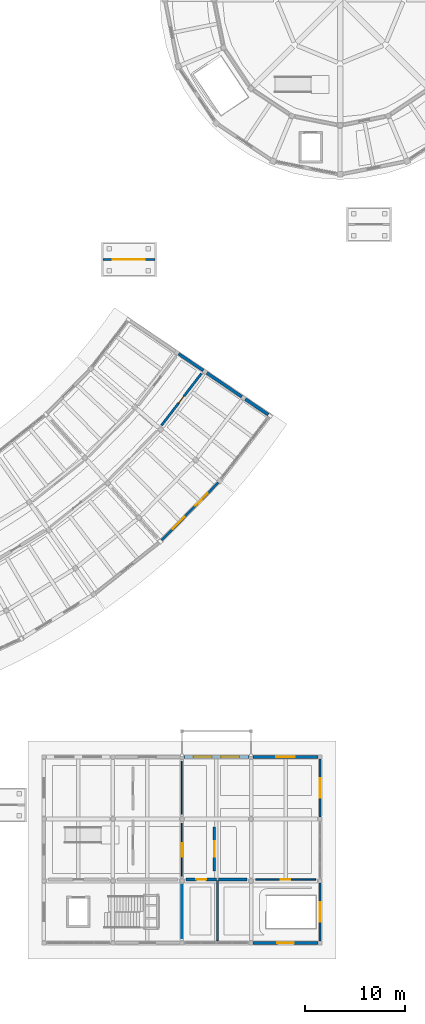
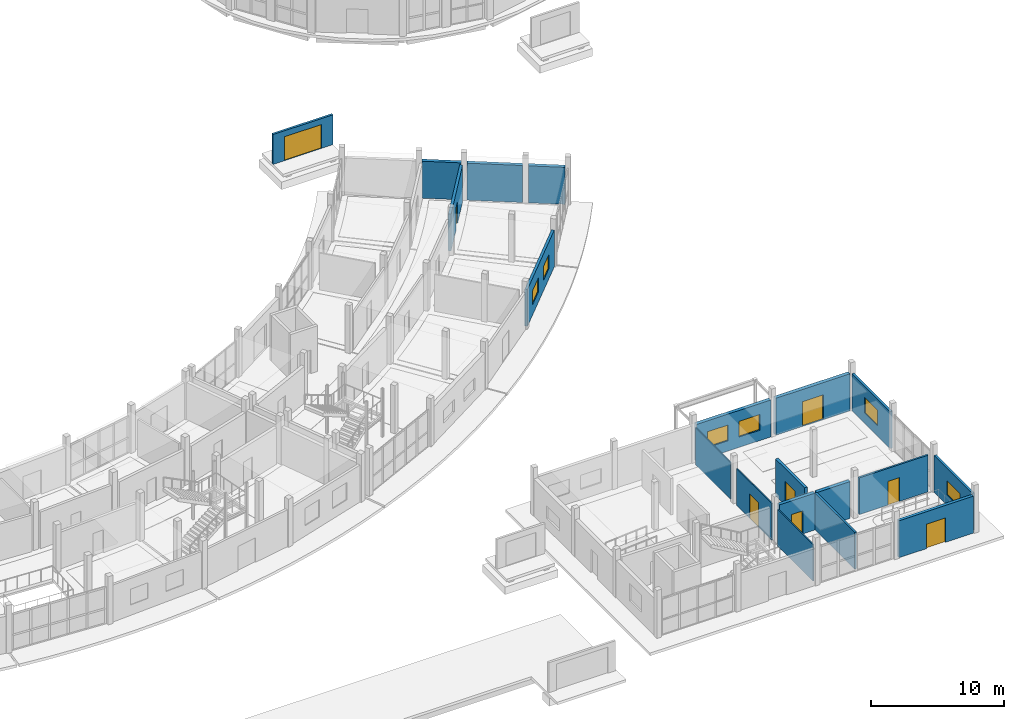
# One storey, part 73 of 92: 19 walls, 8 doors, 6 windows, 14 openings.
"""IFC4 building model written with IfcOpenShell, lengths in metres."""

from ifc_helpers import new_model, si_unit, direction, frame, frame_2d, origin, place, context, subcontext, project, spatial, rectangle, extrude, material, layer, layer_set, type_object, element, fill, save


model = new_model("IFC4")

# Units and contexts
model_context = context("Model", 3, precision=1e-05, world=origin(), true_north=direction((0.0, 1.0)))
body_context = subcontext(model_context, "Body", "Model", "MODEL_VIEW")
ifc_project = project(units=[si_unit("LENGTHUNIT", "METRE"), si_unit("AREAUNIT", "SQUARE_METRE"), si_unit("VOLUMEUNIT", "CUBIC_METRE"), si_unit("PLANEANGLEUNIT", "RADIAN"), si_unit("MASSUNIT", "GRAM", prefix="KILO")], contexts=[model_context])

# Site, building, storey
site_placement = place(None, origin())
site = spatial("IfcSite", under=ifc_project, at=site_placement, CompositionType="ELEMENT")
building_placement = place(site_placement, origin())
building = spatial("IfcBuilding", under=site, at=building_placement, Name="Caldaven Crescent School", CompositionType="ELEMENT")
storey_placement = place(building_placement, origin())
storey = spatial("IfcBuildingStorey", under=building, at=storey_placement, Name="L00", CompositionType="ELEMENT", Elevation=0.0)

# Wall, opening, window
ifc_material_1 = material(Name="Precast concrete C35/45", Category="concrete")
ifc_layer_1 = layer(ifc_material_1, 0.19189453125)
ifc_layer_set_1 = layer_set([ifc_layer_1], Name="Precast concrete C35/45")
wall_type_1 = type_object("IfcWallType", Name="WAL-EW01", PredefinedType="STANDARD", material=ifc_layer_set_1)
wall_1_placement = place(storey_placement, frame((150.5, 4.4130859375, 0.0), z_axis=(0.0, 0.0, 1.0), x_axis=(0.0, 1.0, 0.0)))
wall_1 = element("IfcWall", 1, at=wall_1_placement, inside=storey, type_object=wall_type_1, Name="EW-L00-042", PredefinedType="STANDARD", context=body_context, shape_type="SweptSolid", body=[
    extrude(rectangle(XDim=5.77392578125, YDim=0.19189453125, at=frame_2d((2.886962890625, 0.0))), origin(), (0.0, 0.0, 1.0), 3.39990234375),
])
opening_1_placement = place(wall_1_placement, frame((1.9169921875, 0.0, 0.949951171875)))
opening_1 = element("IfcOpeningElement", 2, at=opening_1_placement, cuts=wall_1, Name="Opening W30", PredefinedType="OPENING", context=body_context, shape_type="SweptSolid", body=[
    extrude(rectangle(XDim=1.93994140625, YDim=1.300048828125, at=frame_2d((0.969970703125, 0.64990234375))), frame((0.0, 0.10595703125, 0.0), z_axis=(0.0, -1.0, 0.0), x_axis=(1.0, 0.0, 0.0)), (0.0, 0.0, 1.0), 0.2119140625),
])
ifc_material_2 = material(Name="Thermally broken anodised aluminium AA 6063-T6 and low-E double glazing", Category="aluminium")
window_type_1 = type_object("IfcWindowType", Name="WIN-W30", PartitioningType="SINGLE_PANEL", PredefinedType="WINDOW", material=ifc_material_2)
window_1_placement = place(opening_1_placement, origin())
window_1 = element("IfcWindow", 3, at=window_1_placement, inside=storey, type_object=window_type_1, Name="WIN-L00-029-1", OverallHeight=1.300048828125, OverallWidth=1.93994140625, PartitioningType="SINGLE_PANEL", PredefinedType="WINDOW", context=body_context, shape_type="SweptSolid", body=[
    extrude(rectangle(XDim=1.93994140625, YDim=1.300048828125, at=frame_2d((0.969970703125, 0.64990234375))), frame((0.0, 0.030029296875, 0.0), z_axis=(0.0, -1.0, 0.0), x_axis=(1.0, 0.0, 0.0)), (0.0, 0.0, 1.0), 0.06005859375),
])
fill(opening_1, window_1)

# Wall, opening, door
wall_2_placement = place(storey_placement, frame((128.800048828125, 72.5, 0.0), z_axis=(0.0, 0.0, 1.0), x_axis=(1.0, 0.0, 0.0)))
wall_2 = element("IfcWall", 4, at=wall_2_placement, inside=storey, type_object=wall_type_1, Name="WAL-GATE-CG2", PredefinedType="STANDARD", context=body_context, shape_type="SweptSolid", body=[
    extrude(rectangle(XDim=5.199951171875, YDim=0.19189453125, at=frame_2d((2.60009765625, 0.0))), origin(), (0.0, 0.0, 1.0), 2.75),
])
opening_2_placement = place(wall_2_placement, frame((1.0, 0.0, 0.0)))
opening_2 = element("IfcOpeningElement", 5, at=opening_2_placement, cuts=wall_2, Name="Opening CG2", PredefinedType="OPENING", context=body_context, shape_type="SweptSolid", body=[
    extrude(rectangle(XDim=3.199951171875, YDim=2.199951171875, at=frame_2d((1.60009765625, 1.10009765625))), frame((0.0, 0.10595703125, 0.0), z_axis=(0.0, -1.0, 0.0), x_axis=(1.0, 0.0, 0.0)), (0.0, 0.0, 1.0), 0.2119140625),
])
ifc_material_3 = material(Name="Powder-coated galvanised tubular steel security gate", Category="steel")
door_type_1 = type_object("IfcDoorType", Name="DOR-GT02", OperationType="NOTDEFINED", PredefinedType="GATE", material=ifc_material_3)
door_1_placement = place(opening_2_placement, origin())
door_1 = element("IfcDoor", 6, at=door_1_placement, inside=storey, type_object=door_type_1, Name="GATE-CG2", OperationType="DOUBLE_DOOR_SINGLE_SWING", OverallHeight=2.199951171875, OverallWidth=3.199951171875, PredefinedType="GATE", context=body_context, shape_type="SweptSolid", body=[
    extrude(rectangle(XDim=3.199951171875, YDim=2.199951171875, at=frame_2d((1.60009765625, 1.10009765625))), frame((0.0, 0.02490234375, 0.0), z_axis=(0.0, -1.0, 0.0), x_axis=(1.0, 0.0, 0.0)), (0.0, 0.0, 1.0), 0.050048828125),
])
fill(opening_2, door_1)

# Wall, opening, window
ifc_layer_2 = layer(ifc_material_1, 0.2041015625)
ifc_layer_set_2 = layer_set([ifc_layer_2], Name="Precast concrete C35/45")
wall_type_2 = type_object("IfcWallType", Name="WAL-EW02", PredefinedType="STANDARD", material=ifc_layer_set_2)
wall_3_placement = place(storey_placement, frame((150.5, 16.81298828125, 0.0), z_axis=(0.0, 0.0, 1.0), x_axis=(0.0, 1.0, 0.0)))
wall_3 = element("IfcWall", 7, at=wall_3_placement, inside=storey, type_object=wall_type_2, Name="EW-L00-043", PredefinedType="STANDARD", context=body_context, shape_type="SweptSolid", body=[
    extrude(rectangle(XDim=5.77392578125, YDim=0.2041015625, at=frame_2d((2.886962890625, 0.0))), origin(), (0.0, 0.0, 1.0), 3.39990234375),
])
opening_3_placement = place(wall_3_placement, frame((1.9169921875, 0.0, 0.949951171875)))
opening_3 = element("IfcOpeningElement", 8, at=opening_3_placement, cuts=wall_3, Name="Opening W31", PredefinedType="OPENING", context=body_context, shape_type="SweptSolid", body=[
    extrude(rectangle(XDim=1.93994140625, YDim=1.449951171875, at=frame_2d((0.969970703125, 0.72509765625))), frame((0.0, 0.112060546875, 0.0), z_axis=(0.0, -1.0, 0.0), x_axis=(1.0, 0.0, 0.0)), (0.0, 0.0, 1.0), 0.22412109375),
])
window_type_2 = type_object("IfcWindowType", Name="WIN-W31", PartitioningType="SINGLE_PANEL", PredefinedType="WINDOW", material=ifc_material_2)
window_2_placement = place(opening_3_placement, origin())
window_2 = element("IfcWindow", 9, at=window_2_placement, inside=storey, type_object=window_type_2, Name="WIN-L00-030-1", OverallHeight=1.449951171875, OverallWidth=1.93994140625, PartitioningType="SINGLE_PANEL", PredefinedType="WINDOW", context=body_context, shape_type="SweptSolid", body=[
    extrude(rectangle(XDim=1.93994140625, YDim=1.449951171875, at=frame_2d((0.969970703125, 0.72509765625))), frame((0.0, 0.030029296875, 0.0), z_axis=(0.0, -1.0, 0.0), x_axis=(1.0, 0.0, 0.0)), (0.0, 0.0, 1.0), 0.06005859375),
])
fill(opening_3, window_2)

# Wall, openings, windows
ifc_layer_3 = layer(ifc_material_1, 0.216064453125)
ifc_layer_set_3 = layer_set([ifc_layer_3], Name="Precast concrete C35/45")
wall_type_3 = type_object("IfcWallType", Name="WAL-EW03", PredefinedType="STANDARD", material=ifc_layer_set_3)
wall_4_placement = place(storey_placement, frame((134.687255859375, 44.46630859375, 0.0), z_axis=(0.0, 0.0, 1.0), x_axis=(0.700920376985, 0.713239528578, 0.0)))
wall_4 = element("IfcWall", 10, at=wall_4_placement, inside=storey, type_object=wall_type_3, Name="EW-L00-114", PredefinedType="STANDARD", context=body_context, shape_type="SweptSolid", body=[
    extrude(rectangle(XDim=8.06591796875, YDim=0.216064453125, at=frame_2d((4.032958984375, 0.0))), origin(), (0.0, 0.0, 1.0), 3.39990234375),
])
opening_4_placement = place(wall_4_placement, frame((1.555419921875, 0.0, 0.949951171875)))
opening_4 = element("IfcOpeningElement", 11, at=opening_4_placement, cuts=wall_4, Name="Opening W22", PredefinedType="OPENING", context=body_context, shape_type="SweptSolid", body=[
    extrude(rectangle(XDim=1.699951171875, YDim=1.300048828125, at=frame_2d((0.85009765625, 0.64990234375))), frame((0.0, 0.117919921875, 0.0), z_axis=(0.0, -1.0, 0.0), x_axis=(1.0, 0.0, 0.0)), (0.0, 0.0, 1.0), 0.236083984375),
])
opening_5_placement = place(wall_4_placement, frame((4.810546875, 0.0, 0.949951171875)))
opening_5 = element("IfcOpeningElement", 12, at=opening_5_placement, cuts=wall_4, Name="Opening W22", PredefinedType="OPENING", context=body_context, shape_type="SweptSolid", body=[
    extrude(rectangle(XDim=1.699951171875, YDim=1.300048828125, at=frame_2d((0.85009765625, 0.64990234375))), frame((0.0, 0.117919921875, 0.0), z_axis=(0.0, -1.0, 0.0), x_axis=(1.0, 0.0, 0.0)), (0.0, 0.0, 1.0), 0.236083984375),
])
window_type_3 = type_object("IfcWindowType", Name="WIN-W22", PartitioningType="SINGLE_PANEL", PredefinedType="WINDOW", material=ifc_material_2)
window_3_placement = place(opening_4_placement, origin())
window_3 = element("IfcWindow", 13, at=window_3_placement, inside=storey, type_object=window_type_3, Name="WIN-L00-069-1", OverallHeight=1.300048828125, OverallWidth=1.699951171875, PartitioningType="SINGLE_PANEL", PredefinedType="WINDOW", context=body_context, shape_type="SweptSolid", body=[
    extrude(rectangle(XDim=1.699951171875, YDim=1.300048828125, at=frame_2d((0.85009765625, 0.64990234375))), frame((0.0, 0.030029296875, 0.0), z_axis=(0.0, -1.0, 0.0), x_axis=(1.0, 0.0, 0.0)), (0.0, 0.0, 1.0), 0.06005859375),
])
fill(opening_4, window_3)
window_4_placement = place(opening_5_placement, origin())
window_4 = element("IfcWindow", 14, at=window_4_placement, inside=storey, type_object=window_type_3, Name="WIN-L00-069-2", OverallHeight=1.300048828125, OverallWidth=1.699951171875, PartitioningType="SINGLE_PANEL", PredefinedType="WINDOW", context=body_context, shape_type="SweptSolid", body=[
    extrude(rectangle(XDim=1.699951171875, YDim=1.300048828125, at=frame_2d((0.85009765625, 0.64990234375))), frame((0.0, 0.030029296875, 0.0), z_axis=(0.0, -1.0, 0.0), x_axis=(1.0, 0.0, 0.0)), (0.0, 0.0, 1.0), 0.06005859375),
])
fill(opening_5, window_4)

# Wall, opening, door
ifc_layer_4 = layer(ifc_material_1, 0.263916015625)
ifc_layer_set_4 = layer_set([ifc_layer_4], Name="Precast concrete C35/45")
wall_type_4 = type_object("IfcWallType", Name="WAL-EW07", PredefinedType="STANDARD", material=ifc_layer_set_4)
wall_5_placement = place(storey_placement, frame((143.81298828125, 4.199951171875, 0.0), z_axis=(0.0, 0.0, 1.0), x_axis=(1.0, 0.0, 0.0)))
wall_5 = element("IfcWall", 15, at=wall_5_placement, inside=storey, type_object=wall_type_4, Name="EW-L00-034", PredefinedType="STANDARD", context=body_context, shape_type="SweptSolid", body=[
    extrude(rectangle(XDim=6.47412109375, YDim=0.263916015625, at=frame_2d((3.237060546875, 0.0))), origin(), (0.0, 0.0, 1.0), 3.39990234375),
])
opening_6_placement = place(wall_5_placement, frame((2.412109375, 0.0, 0.0)))
opening_6 = element("IfcOpeningElement", 16, at=opening_6_placement, cuts=wall_5, Name="Opening D-L00-E010", PredefinedType="OPENING", context=body_context, shape_type="SweptSolid", body=[
    extrude(rectangle(XDim=1.64990234375, YDim=2.25, at=frame_2d((0.824951171875, 1.125))), frame((0.0, 0.141845703125, 0.0), z_axis=(0.0, -1.0, 0.0), x_axis=(1.0, 0.0, 0.0)), (0.0, 0.0, 1.0), 0.283935546875),
])
ifc_material_4 = material(Name="Thermally broken bronze-anodised aluminium and laminated safety glass", Category="aluminium")
door_type_2 = type_object("IfcDoorType", Name="DOR-EX09", OperationType="NOTDEFINED", PredefinedType="DOOR", material=ifc_material_4)
door_2_placement = place(opening_6_placement, frame((1.64990234375, 0.0, 0.0), z_axis=(0.0, 0.0, 1.0), x_axis=(-1.0, 0.0, 0.0)))
door_2 = element("IfcDoor", 17, at=door_2_placement, inside=storey, type_object=door_type_2, Name="DOR-EXT-L00-010", OperationType="DOUBLE_DOOR_SINGLE_SWING", OverallHeight=2.25, OverallWidth=1.64990234375, PredefinedType="DOOR", context=body_context, shape_type="SweptSolid", body=[
    extrude(rectangle(XDim=1.64990234375, YDim=2.25, at=frame_2d((0.824951171875, 1.125))), frame((0.0, 0.02490234375, 0.0), z_axis=(0.0, -1.0, 0.0), x_axis=(1.0, 0.0, 0.0)), (0.0, 0.0, 1.0), 0.050048828125),
])
fill(opening_6, door_2)

# Wall
ifc_layer_5 = layer(ifc_material_1, 0.2880859375)
ifc_layer_set_5 = layer_set([ifc_layer_5], Name="Precast concrete C35/45")
wall_type_5 = type_object("IfcWallType", Name="WAL-EW09", PredefinedType="STANDARD", material=ifc_layer_set_5)
wall_6_placement = place(storey_placement, frame((136.375, 63.081298828125, 0.0), z_axis=(0.0, 0.0, 1.0), x_axis=(0.826746288828, -0.562574949592, 0.0)))
element("IfcWall", 18, at=wall_6_placement, inside=storey, type_object=wall_type_5, Name="EW-L00-120", PredefinedType="STANDARD", context=body_context, shape_type="SweptSolid", body=[
    extrude(rectangle(XDim=2.973876953125, YDim=0.2880859375, at=frame_2d((1.48681640625, 0.0))), origin(), (0.0, 0.0, 1.0), 3.39990234375),
])

# Wall, openings, windows
ifc_layer_6 = layer(ifc_material_1, 0.300048828125)
ifc_layer_set_6 = layer_set([ifc_layer_6], Name="Precast concrete C35/45")
wall_type_6 = type_object("IfcWallType", Name="WAL-EW10", PredefinedType="STANDARD", material=ifc_layer_set_6)
wall_7_placement = place(storey_placement, frame((136.9130859375, 22.800048828125, 0.0), z_axis=(0.0, 0.0, 1.0), x_axis=(1.0, 0.0, 0.0)))
wall_7 = element("IfcWall", 19, at=wall_7_placement, inside=storey, type_object=wall_type_6, Name="EW-L00-037", PredefinedType="STANDARD", context=body_context, shape_type="SweptSolid", body=[
    extrude(rectangle(XDim=6.473876953125, YDim=0.300048828125, at=frame_2d((3.23681640625, 0.0))), origin(), (0.0, 0.0, 1.0), 3.39990234375),
])
opening_7_placement = place(wall_7_placement, frame((0.944580078125, 0.0, 0.949951171875)))
opening_7 = element("IfcOpeningElement", 20, at=opening_7_placement, cuts=wall_7, Name="Opening W27", PredefinedType="OPENING", context=body_context, shape_type="SweptSolid", body=[
    extrude(rectangle(XDim=1.820068359375, YDim=1.449951171875, at=frame_2d((0.91015625, 0.72509765625))), frame((0.0, 0.159912109375, 0.0), z_axis=(0.0, -1.0, 0.0), x_axis=(1.0, 0.0, 0.0)), (0.0, 0.0, 1.0), 0.320068359375),
])
opening_8_placement = place(wall_7_placement, frame((3.709228515625, 0.0, 0.949951171875)))
opening_8 = element("IfcOpeningElement", 21, at=opening_8_placement, cuts=wall_7, Name="Opening W27", PredefinedType="OPENING", context=body_context, shape_type="SweptSolid", body=[
    extrude(rectangle(XDim=1.820068359375, YDim=1.449951171875, at=frame_2d((0.91015625, 0.72509765625))), frame((0.0, 0.159912109375, 0.0), z_axis=(0.0, -1.0, 0.0), x_axis=(1.0, 0.0, 0.0)), (0.0, 0.0, 1.0), 0.320068359375),
])
window_type_4 = type_object("IfcWindowType", Name="WIN-W27", PartitioningType="SINGLE_PANEL", PredefinedType="WINDOW", material=ifc_material_2)
window_5_placement = place(opening_7_placement, origin())
window_5 = element("IfcWindow", 22, at=window_5_placement, inside=storey, type_object=window_type_4, Name="WIN-L00-026-1", OverallHeight=1.449951171875, OverallWidth=1.820068359375, PartitioningType="SINGLE_PANEL", PredefinedType="WINDOW", context=body_context, shape_type="SweptSolid", body=[
    extrude(rectangle(XDim=1.820068359375, YDim=1.449951171875, at=frame_2d((0.91015625, 0.72509765625))), frame((0.0, 0.030029296875, 0.0), z_axis=(0.0, -1.0, 0.0), x_axis=(1.0, 0.0, 0.0)), (0.0, 0.0, 1.0), 0.06005859375),
])
fill(opening_7, window_5)
window_6_placement = place(opening_8_placement, origin())
window_6 = element("IfcWindow", 23, at=window_6_placement, inside=storey, type_object=window_type_4, Name="WIN-L00-026-2", OverallHeight=1.449951171875, OverallWidth=1.820068359375, PartitioningType="SINGLE_PANEL", PredefinedType="WINDOW", context=body_context, shape_type="SweptSolid", body=[
    extrude(rectangle(XDim=1.820068359375, YDim=1.449951171875, at=frame_2d((0.91015625, 0.72509765625))), frame((0.0, 0.030029296875, 0.0), z_axis=(0.0, -1.0, 0.0), x_axis=(1.0, 0.0, 0.0)), (0.0, 0.0, 1.0), 0.06005859375),
])
fill(opening_8, window_6)

# Wall
wall_8_placement = place(storey_placement, frame((139.185791015625, 61.168701171875, 0.0), z_axis=(0.0, 0.0, 1.0), x_axis=(0.826730801619, -0.56259770854, 0.0)))
element("IfcWall", 24, at=wall_8_placement, inside=storey, type_object=wall_type_6, Name="EW-L00-121", PredefinedType="STANDARD", context=body_context, shape_type="SweptSolid", body=[
    extrude(rectangle(XDim=4.22412109375, YDim=0.300048828125, at=frame_2d((2.112060546875, 0.0))), origin(), (0.0, 0.0, 1.0), 3.39990234375),
])

# Wall, opening, door
ifc_layer_7 = layer(ifc_material_1, 0.31201171875)
ifc_layer_set_7 = layer_set([ifc_layer_7], Name="Precast concrete C35/45")
wall_type_7 = type_object("IfcWallType", Name="WAL-EW11", PredefinedType="STANDARD", material=ifc_layer_set_7)
wall_9_placement = place(storey_placement, frame((143.81298828125, 22.800048828125, 0.0), z_axis=(0.0, 0.0, 1.0), x_axis=(1.0, 0.0, 0.0)))
wall_9 = element("IfcWall", 25, at=wall_9_placement, inside=storey, type_object=wall_type_7, Name="EW-L00-038", PredefinedType="STANDARD", context=body_context, shape_type="SweptSolid", body=[
    extrude(rectangle(XDim=6.47412109375, YDim=0.31201171875, at=frame_2d((3.237060546875, 0.0))), origin(), (0.0, 0.0, 1.0), 3.39990234375),
])
opening_9_placement = place(wall_9_placement, frame((2.31201171875, 0.0, 0.0)))
opening_9 = element("IfcOpeningElement", 26, at=opening_9_placement, cuts=wall_9, Name="Opening D-L00-E012", PredefinedType="OPENING", context=body_context, shape_type="SweptSolid", body=[
    extrude(rectangle(XDim=1.85009765625, YDim=2.280029296875, at=frame_2d((0.925048828125, 1.14013671875))), frame((0.0, 0.166015625, 0.0), z_axis=(0.0, -1.0, 0.0), x_axis=(1.0, 0.0, 0.0)), (0.0, 0.0, 1.0), 0.33203125),
])
door_type_3 = type_object("IfcDoorType", Name="DOR-EX11", OperationType="NOTDEFINED", PredefinedType="DOOR", material=ifc_material_4)
door_3_placement = place(opening_9_placement, origin())
door_3 = element("IfcDoor", 27, at=door_3_placement, inside=storey, type_object=door_type_3, Name="DOR-EXT-L00-012", OperationType="DOUBLE_DOOR_SINGLE_SWING", OverallHeight=2.280029296875, OverallWidth=1.85009765625, PredefinedType="DOOR", context=body_context, shape_type="SweptSolid", body=[
    extrude(rectangle(XDim=1.85009765625, YDim=2.280029296875, at=frame_2d((0.925048828125, 1.14013671875))), frame((0.0, 0.02490234375, 0.0), z_axis=(0.0, -1.0, 0.0), x_axis=(1.0, 0.0, 0.0)), (0.0, 0.0, 1.0), 0.050048828125),
])
fill(opening_9, door_3)

# Wall
wall_10_placement = place(storey_placement, frame((143.0302734375, 58.552490234375, 0.0), z_axis=(0.0, 0.0, 1.0), x_axis=(0.826731643037, -0.562596472085, 0.0)))
element("IfcWall", 28, at=wall_10_placement, inside=storey, type_object=wall_type_7, Name="EW-L00-122", PredefinedType="STANDARD", context=body_context, shape_type="SweptSolid", body=[
    extrude(rectangle(XDim=2.77392578125, YDim=0.31201171875, at=frame_2d((1.386962890625, 0.0))), origin(), (0.0, 0.0, 1.0), 3.39990234375),
])

# Wall, opening, door
ifc_material_5 = material(Name="Acoustic timber-stud and fire-rated gypsum board assembly", Category="wood")
ifc_layer_8 = layer(ifc_material_5, 0.159912109375)
ifc_layer_set_8 = layer_set([ifc_layer_8], Name="Acoustic timber-stud and fire-rated gypsum board assembly")
wall_type_8 = type_object("IfcWallType", Name="WAL-IW01", PredefinedType="STANDARD", material=ifc_layer_set_8)
wall_11_placement = place(storey_placement, frame((144.050048828125, 10.550048828125, 0.0), z_axis=(0.0, 0.0, 1.0), x_axis=(1.0, 0.0, 0.0)))
wall_11 = element("IfcWall", 29, at=wall_11_placement, inside=storey, type_object=wall_type_8, Name="IW-L00-0080", PredefinedType="STANDARD", context=body_context, shape_type="SweptSolid", body=[
    extrude(rectangle(XDim=6.0, YDim=0.159912109375, at=frame_2d((3.0, 0.0))), origin(), (0.0, 0.0, 1.0), 3.3798828125),
])
opening_10_placement = place(wall_11_placement, frame((2.510009765625, 0.0, 0.0)))
opening_10 = element("IfcOpeningElement", 30, at=opening_10_placement, cuts=wall_11, Name="Opening D-L00-I054", PredefinedType="OPENING", context=body_context, shape_type="SweptSolid", body=[
    extrude(rectangle(XDim=0.97998046875, YDim=2.179931640625, at=frame_2d((0.489990234375, 1.08984375))), frame((0.0, 0.08984375, 0.0), z_axis=(0.0, -1.0, 0.0), x_axis=(1.0, 0.0, 0.0)), (0.0, 0.0, 1.0), 0.179931640625),
])
ifc_material_6 = material(Name="Solid-core Pino Radiata acoustic timber leaf in steel frame", Category="steel")
door_type_4 = type_object("IfcDoorType", Name="DOR-ID15", OperationType="NOTDEFINED", PredefinedType="DOOR", material=ifc_material_6)
door_4_placement = place(opening_10_placement, origin())
door_4 = element("IfcDoor", 31, at=door_4_placement, inside=storey, type_object=door_type_4, Name="DOR-INT-L00-0054", OperationType="SINGLE_SWING_LEFT", OverallHeight=2.179931640625, OverallWidth=0.97998046875, PredefinedType="DOOR", context=body_context, shape_type="SweptSolid", body=[
    extrude(rectangle(XDim=0.97998046875, YDim=2.179931640625, at=frame_2d((0.489990234375, 1.08984375))), frame((0.0, 0.02490234375, 0.0), z_axis=(0.0, -1.0, 0.0), x_axis=(1.0, 0.0, 0.0)), (0.0, 0.0, 1.0), 0.050048828125),
])
fill(opening_10, door_4)

ifc_layer_9 = layer(ifc_material_5, 0.22998046875)
ifc_layer_set_9 = layer_set([ifc_layer_9], Name="Acoustic timber-stud and fire-rated gypsum board assembly")
wall_type_9 = type_object("IfcWallType", Name="WAL-IW08", PredefinedType="STANDARD", material=ifc_layer_set_9)
wall_12_placement = place(storey_placement, frame((134.6494140625, 55.92431640625, 0.0), z_axis=(0.0, 0.0, 1.0), x_axis=(0.610378079511, 0.792110219637, 0.0)))
wall_12 = element("IfcWall", 32, at=wall_12_placement, inside=storey, type_object=wall_type_9, Name="IW-L00-0199", PredefinedType="STANDARD", context=body_context, shape_type="SweptSolid", body=[
    extrude(rectangle(XDim=6.539794921875, YDim=0.22998046875, at=frame_2d((3.27001953125, 0.0))), origin(), (0.0, 0.0, 1.0), 3.3798828125),
])
opening_11_placement = place(wall_12_placement, frame((2.83984375, 0.0, 0.0)))
opening_11 = element("IfcOpeningElement", 33, at=opening_11_placement, cuts=wall_12, Name="Opening D-L00-I140", PredefinedType="OPENING", context=body_context, shape_type="SweptSolid", body=[
    extrude(rectangle(XDim=0.860107421875, YDim=2.06005859375, at=frame_2d((0.43017578125, 1.030029296875))), frame((0.0, 0.125, 0.0), z_axis=(0.0, -1.0, 0.0), x_axis=(1.0, 0.0, 0.0)), (0.0, 0.0, 1.0), 0.25),
])
door_type_5 = type_object("IfcDoorType", Name="DOR-ID01", OperationType="NOTDEFINED", PredefinedType="DOOR", material=ifc_material_6)
door_5_placement = place(opening_11_placement, origin())
door_5 = element("IfcDoor", 34, at=door_5_placement, inside=storey, type_object=door_type_5, Name="DOR-INT-L00-0140", OperationType="SINGLE_SWING_LEFT", OverallHeight=2.06005859375, OverallWidth=0.860107421875, PredefinedType="DOOR", context=body_context, shape_type="SweptSolid", body=[
    extrude(rectangle(XDim=0.860107421875, YDim=2.06005859375, at=frame_2d((0.43017578125, 1.030029296875))), frame((0.0, 0.02490234375, 0.0), z_axis=(0.0, -1.0, 0.0), x_axis=(1.0, 0.0, 0.0)), (0.0, 0.0, 1.0), 0.050048828125),
])
fill(opening_11, door_5)

ifc_layer_10 = layer(ifc_material_5, 0.25)
ifc_layer_set_10 = layer_set([ifc_layer_10], Name="Acoustic timber-stud and fire-rated gypsum board assembly")
wall_type_10 = type_object("IfcWallType", Name="WAL-IW10", PredefinedType="STANDARD", material=ifc_layer_set_10)
wall_13_placement = place(storey_placement, frame((139.949951171875, 11.39990234375, 0.0), z_axis=(0.0, 0.0, 1.0), x_axis=(0.0, 1.0, 0.0)))
wall_13 = element("IfcWall", 35, at=wall_13_placement, inside=storey, type_object=wall_type_10, Name="IW-FD-10", PredefinedType="STANDARD", context=body_context, shape_type="SweptSolid", body=[
    extrude(rectangle(XDim=4.400146484375, YDim=0.25, at=frame_2d((2.2001953125, 0.0))), origin(), (0.0, 0.0, 1.0), 3.3798828125),
])
opening_12_placement = place(wall_13_placement, frame((1.429931640625, 0.0, 0.0)))
opening_12 = element("IfcOpeningElement", 36, at=opening_12_placement, cuts=wall_13, Name="Opening FD-X10", PredefinedType="OPENING", context=body_context, shape_type="SweptSolid", body=[
    extrude(rectangle(XDim=1.5400390625, YDim=2.219970703125, at=frame_2d((0.77001953125, 1.10986328125))), frame((0.0, 0.135009765625, 0.0), z_axis=(0.0, -1.0, 0.0), x_axis=(1.0, 0.0, 0.0)), (0.0, 0.0, 1.0), 0.27001953125),
])
ifc_material_7 = material(Name="Acoustic fire-rated steel-framed hardwood leaf", Category="steel")
door_type_6 = type_object("IfcDoorType", Name="DOR-FD10", OperationType="NOTDEFINED", PredefinedType="DOOR", material=ifc_material_7)
door_6_placement = place(opening_12_placement, origin())
door_6 = element("IfcDoor", 37, at=door_6_placement, inside=storey, type_object=door_type_6, Name="DOR-FD-EXTRA-10", OperationType="DOUBLE_DOOR_SINGLE_SWING", OverallHeight=2.219970703125, OverallWidth=1.5400390625, PredefinedType="DOOR", context=body_context, shape_type="SweptSolid", body=[
    extrude(rectangle(XDim=1.5400390625, YDim=2.219970703125, at=frame_2d((0.77001953125, 1.10986328125))), frame((0.0, 0.02490234375, 0.0), z_axis=(0.0, -1.0, 0.0), x_axis=(1.0, 0.0, 0.0)), (0.0, 0.0, 1.0), 0.050048828125),
])
fill(opening_12, door_6)

ifc_material_8 = material(Name="Autoclaved aerated concrete block masonry G5", Category="masonry")
ifc_layer_11 = layer(ifc_material_8, 0.2900390625)
ifc_layer_set_11 = layer_set([ifc_layer_11], Name="Autoclaved aerated concrete block masonry G5")
wall_type_11 = type_object("IfcWallType", Name="WAL-IW14", PredefinedType="STANDARD", material=ifc_layer_set_11)
wall_14_placement = place(storey_placement, frame((137.080078125, 10.550048828125, 0.0), z_axis=(0.0, 0.0, 1.0), x_axis=(1.0, 0.0, 0.0)))
wall_14 = element("IfcWall", 38, at=wall_14_placement, inside=storey, type_object=wall_type_11, Name="IW-L00-0077", PredefinedType="STANDARD", context=body_context, shape_type="SweptSolid", body=[
    extrude(rectangle(XDim=3.08984375, YDim=0.2900390625, at=frame_2d((1.544921875, 0.0))), origin(), (0.0, 0.0, 1.0), 3.3798828125),
])
opening_13_placement = place(wall_14_placement, frame((1.054931640625, 0.0, 0.0)))
opening_13 = element("IfcOpeningElement", 39, at=opening_13_placement, cuts=wall_14, Name="Opening D-L00-I053", PredefinedType="OPENING", context=body_context, shape_type="SweptSolid", body=[
    extrude(rectangle(XDim=0.97998046875, YDim=2.1201171875, at=frame_2d((0.489990234375, 1.06005859375))), frame((0.0, 0.155029296875, 0.0), z_axis=(0.0, -1.0, 0.0), x_axis=(1.0, 0.0, 0.0)), (0.0, 0.0, 1.0), 0.31005859375),
])
door_type_7 = type_object("IfcDoorType", Name="DOR-ID14", OperationType="NOTDEFINED", PredefinedType="DOOR", material=ifc_material_6)
door_7_placement = place(opening_13_placement, origin())
door_7 = element("IfcDoor", 40, at=door_7_placement, inside=storey, type_object=door_type_7, Name="DOR-INT-L00-0053", OperationType="SINGLE_SWING_RIGHT", OverallHeight=2.1201171875, OverallWidth=0.97998046875, PredefinedType="DOOR", context=body_context, shape_type="SweptSolid", body=[
    extrude(rectangle(XDim=0.97998046875, YDim=2.1201171875, at=frame_2d((0.489990234375, 1.06005859375))), frame((0.0, 0.02490234375, 0.0), z_axis=(0.0, -1.0, 0.0), x_axis=(1.0, 0.0, 0.0)), (0.0, 0.0, 1.0), 0.050048828125),
])
fill(opening_13, door_7)

# Walls
ifc_layer_12 = layer(ifc_material_8, 0.300048828125)
ifc_layer_set_12 = layer_set([ifc_layer_12], Name="Autoclaved aerated concrete block masonry G5")
wall_type_12 = type_object("IfcWallType", Name="WAL-IW15", PredefinedType="STANDARD", material=ifc_layer_set_12)
wall_15_placement = place(storey_placement, frame((140.330078125, 10.550048828125, 0.0), z_axis=(0.0, 0.0, 1.0), x_axis=(1.0, 0.0, 0.0)))
element("IfcWall", 41, at=wall_15_placement, inside=storey, type_object=wall_type_12, Name="IW-L00-0078", PredefinedType="STANDARD", context=body_context, shape_type="SweptSolid", body=[
    extrude(rectangle(XDim=2.889892578125, YDim=0.300048828125, at=frame_2d((1.44482421875, 0.0))), origin(), (0.0, 0.0, 1.0), 3.3798828125),
])
ifc_material_9 = material(Name="Acoustic double-layer gypsum partition on galvanised steel studs", Category="steel")
ifc_layer_13 = layer(ifc_material_9, 0.092041015625)
ifc_layer_set_13 = layer_set([ifc_layer_13], Name="Acoustic double-layer gypsum partition on galvanised steel studs")
wall_type_13 = type_object("IfcWallType", Name="WAL-PT02", PredefinedType="PARTITIONING", material=ifc_layer_set_13)
wall_16_placement = place(storey_placement, frame((136.699951171875, 4.64990234375, 0.0), z_axis=(0.0, 0.0, 1.0), x_axis=(0.0, 1.0, 0.0)))
element("IfcWall", 42, at=wall_16_placement, inside=storey, type_object=wall_type_13, Name="IW-L00-0081", PredefinedType="PARTITIONING", context=body_context, shape_type="SweptSolid", body=[
    extrude(rectangle(XDim=5.300048828125, YDim=0.092041015625, at=frame_2d((2.64990234375, 0.0))), origin(), (0.0, 0.0, 1.0), 3.3798828125),
])

# Wall, opening, door
ifc_layer_14 = layer(ifc_material_9, 0.097900390625)
ifc_layer_set_14 = layer_set([ifc_layer_14], Name="Acoustic double-layer gypsum partition on galvanised steel studs")
wall_type_14 = type_object("IfcWallType", Name="WAL-PT03", PredefinedType="PARTITIONING", material=ifc_layer_set_14)
wall_17_placement = place(storey_placement, frame((136.699951171875, 10.85009765625, 0.0), z_axis=(0.0, 0.0, 1.0), x_axis=(0.0, 1.0, 0.0)))
wall_17 = element("IfcWall", 43, at=wall_17_placement, inside=storey, type_object=wall_type_14, Name="IW-L00-0082", PredefinedType="PARTITIONING", context=body_context, shape_type="SweptSolid", body=[
    extrude(rectangle(XDim=5.2998046875, YDim=0.097900390625, at=frame_2d((2.64990234375, 0.0))), origin(), (0.0, 0.0, 1.0), 3.3798828125),
])
opening_14_placement = place(wall_17_placement, frame((1.9599609375, 0.0, 0.0)))
opening_14 = element("IfcOpeningElement", 44, at=opening_14_placement, cuts=wall_17, Name="Opening D-L00-I055", PredefinedType="OPENING", context=body_context, shape_type="SweptSolid", body=[
    extrude(rectangle(XDim=1.3798828125, YDim=2.239990234375, at=frame_2d((0.68994140625, 1.1201171875))), frame((0.0, 0.058837890625, 0.0), z_axis=(0.0, -1.0, 0.0), x_axis=(1.0, 0.0, 0.0)), (0.0, 0.0, 1.0), 0.117919921875),
])
door_type_8 = type_object("IfcDoorType", Name="DOR-ID48", OperationType="NOTDEFINED", PredefinedType="DOOR", material=ifc_material_6)
door_8_placement = place(opening_14_placement, frame((1.3798828125, 0.0, 0.0), z_axis=(0.0, 0.0, 1.0), x_axis=(-1.0, 0.0, 0.0)))
door_8 = element("IfcDoor", 45, at=door_8_placement, inside=storey, type_object=door_type_8, Name="DOR-INT-L00-0055", OperationType="SINGLE_SWING_RIGHT", OverallHeight=2.239990234375, OverallWidth=1.3798828125, PredefinedType="DOOR", context=body_context, shape_type="SweptSolid", body=[
    extrude(rectangle(XDim=1.3798828125, YDim=2.239990234375, at=frame_2d((0.68994140625, 1.1201171875))), frame((0.0, 0.02490234375, 0.0), z_axis=(0.0, -1.0, 0.0), x_axis=(1.0, 0.0, 0.0)), (0.0, 0.0, 1.0), 0.050048828125),
])
fill(opening_14, door_8)

# Walls
ifc_layer_15 = layer(ifc_material_9, 0.10400390625)
ifc_layer_set_15 = layer_set([ifc_layer_15], Name="Acoustic double-layer gypsum partition on galvanised steel studs")
wall_type_15 = type_object("IfcWallType", Name="WAL-PT04", PredefinedType="PARTITIONING", material=ifc_layer_set_15)
wall_18_placement = place(storey_placement, frame((136.699951171875, 17.050048828125, 0.0), z_axis=(0.0, 0.0, 1.0), x_axis=(0.0, 1.0, 0.0)))
element("IfcWall", 46, at=wall_18_placement, inside=storey, type_object=wall_type_15, Name="IW-L00-0083", PredefinedType="PARTITIONING", context=body_context, shape_type="SweptSolid", body=[
    extrude(rectangle(XDim=5.300048828125, YDim=0.10400390625, at=frame_2d((2.64990234375, 0.0))), origin(), (0.0, 0.0, 1.0), 3.3798828125),
])
ifc_layer_16 = layer(ifc_material_9, 0.176025390625)
ifc_layer_set_16 = layer_set([ifc_layer_16], Name="Acoustic double-layer gypsum partition on galvanised steel studs")
wall_type_16 = type_object("IfcWallType", Name="WAL-PT16", PredefinedType="PARTITIONING", material=ifc_layer_set_16)
wall_19_placement = place(storey_placement, frame((140.25, 4.43994140625, 0.0), z_axis=(0.0, 0.0, 1.0), x_axis=(0.0, 1.0, 0.0)))
element("IfcWall", 47, at=wall_19_placement, inside=storey, type_object=wall_type_16, Name="IW-L00-0079", PredefinedType="PARTITIONING", context=body_context, shape_type="SweptSolid", body=[
    extrude(rectangle(XDim=6.0, YDim=0.176025390625, at=frame_2d((3.0, 0.0))), origin(), (0.0, 0.0, 1.0), 3.3798828125),
])

save(model, "model.ifc")
